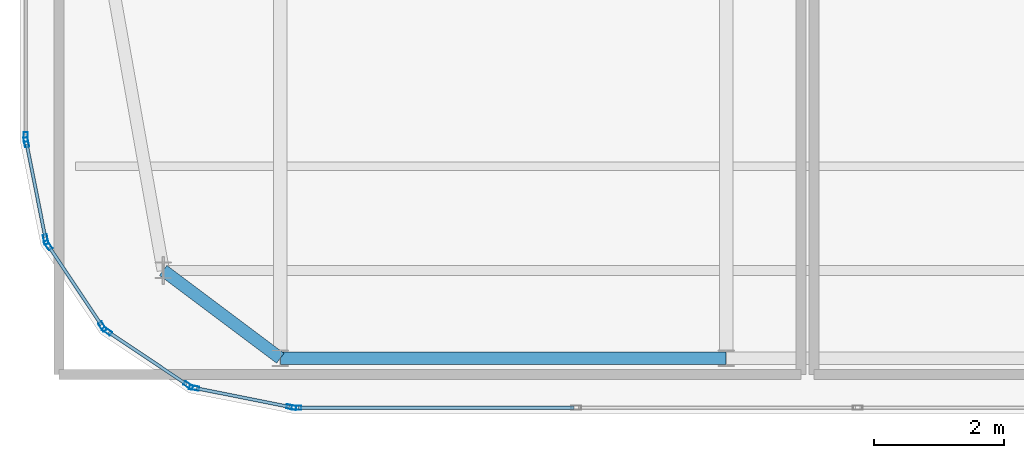
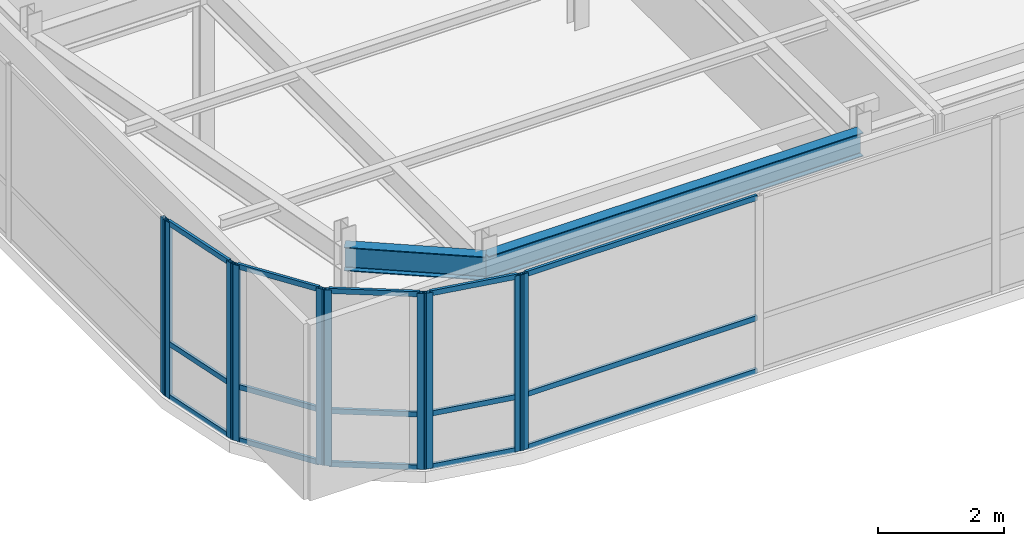
# One storey, part 5 of 35: 25 members, 2 beams, 6 elements without a shape of their own.
"""IFC4 building model written with IfcOpenShell, lengths in metres."""

from ifc_helpers import new_model, si_unit, direction, frame, origin, origin_2d, place, context, subcontext, project, spatial, hollow_rectangle, i_section, extrude, source, transform, mapped, material, layer, layer_set, material_profile, profile_set, type_object, type_shapes, element, aggregate, save


model = new_model("IFC4")

# Units and contexts
model_context = context("Model", 3, precision=1e-05, world=origin(), true_north=direction((0.0, 1.0)))
body_context = subcontext(model_context, "Body", "Model", "MODEL_VIEW")
ifc_project = project(units=[si_unit("LENGTHUNIT", "METRE"), si_unit("AREAUNIT", "SQUARE_METRE"), si_unit("VOLUMEUNIT", "CUBIC_METRE"), si_unit("PLANEANGLEUNIT", "RADIAN"), si_unit("MASSUNIT", "GRAM", prefix="KILO")], contexts=[model_context])

# Site, building, storey
site_placement = place(None, origin())
site = spatial("IfcSite", under=ifc_project, at=site_placement, CompositionType="ELEMENT")
building_placement = place(site_placement, origin())
building = spatial("IfcBuilding", under=site, at=building_placement, Name="Tolvann Quenvar Hotel", CompositionType="ELEMENT")
storey_placement = place(building_placement, frame((0.0, 0.0, 309.949951171875)))
storey = spatial("IfcBuildingStorey", under=building, at=storey_placement, Name="L82", CompositionType="ELEMENT", Elevation=309.949951171875)

# Beams
ifc_material_1 = material(Name="Steel Grade 350", Category="steel")
ifc_material_profile_1 = material_profile(ifc_material_1, i_section(OverallWidth=0.19091796875, OverallDepth=0.4599609375, WebThickness=0.010009765625, FlangeThickness=0.01611328125, FilletRadius=0.011474609375, at=origin_2d()), Name="460UB82")
ifc_profile_set_1 = profile_set([ifc_material_profile_1], Name="Steel Grade 350")
beam_type = type_object("IfcBeamType", Name="BM_SPAND_460UB82", PredefinedType="SPANDREL", material=ifc_profile_set_1)
shared_shape_1 = source(origin(), body_context, "Body", "SweptSolid", [
    extrude(i_section(OverallWidth=0.19091796875, OverallDepth=0.4599609375, WebThickness=0.010009765625, FlangeThickness=0.01611328125, FilletRadius=0.011474609375, at=origin_2d()), origin(), (0.0, 0.0, 1.0), 6.849853515625),
])
beam_1_placement = place(storey_placement, frame((7.60009765625, 7.050048828125, 3.170166015625), z_axis=(1.0, 0.0, 0.0), x_axis=(0.0, 1.0, 0.0)))
element("IfcBeam", 1, at=beam_1_placement, inside=storey, type_object=beam_type, Name="BM-L82-EW-2-C2-D2", PredefinedType="SPANDREL", context=body_context, shape_type="MappedRepresentation", body=[
    mapped(shared_shape_1, transform((0.0, 0.0, 0.0), x_axis=(1.0, 0.0, 0.0), y_axis=(0.0, 1.0, 0.0), z_axis=(0.0, 0.0, 1.0), scale=1.0)),
])
shared_shape_2 = source(origin(), body_context, "Body", "SweptSolid", [
    extrude(i_section(OverallWidth=0.19091796875, OverallDepth=0.4599609375, WebThickness=0.010009765625, FlangeThickness=0.01611328125, FilletRadius=0.011474609375, at=origin_2d()), origin(), (0.0, 0.0, 1.0), 2.25),
])
type_shapes(beam_type, [shared_shape_1, shared_shape_2])
beam_2_placement = place(storey_placement, frame((5.800048828125, 8.39990234375, 3.170166015625), z_axis=(0.800039061652, -0.599947914265, 0.0), x_axis=(0.599947914265, 0.800039061652, 0.0)))
element("IfcBeam", 2, at=beam_2_placement, inside=storey, type_object=beam_type, Name="BM-L82-EW-2-B2-C2", PredefinedType="SPANDREL", context=body_context, shape_type="MappedRepresentation", body=[
    mapped(shared_shape_2, transform((0.0, 0.0, 0.0), x_axis=(1.0, 0.0, 0.0), y_axis=(0.0, 1.0, 0.0), z_axis=(0.0, 0.0, 1.0), scale=1.0)),
])

# Curtain wall, members
ifc_material_2 = material(Name="Thermally broken anodised architectural aluminium 6063-T6 and laminated low-E glass", Category="aluminium")
ifc_layer = layer(ifc_material_2, 0.179931640625)
ifc_layer_set = layer_set([ifc_layer], Name="Thermally broken anodised architectural aluminium 6063-T6 and laminated low-E glass")
curtain_wall_type = type_object("IfcCurtainWallType", Name="CW_SYS_LANT_06", PredefinedType="USERDEFINED", material=ifc_layer_set)
curtain_wall_1_placement = place(storey_placement, origin())
curtain_wall_1 = element("IfcCurtainWall", 3, at=curtain_wall_1_placement, inside=storey, type_object=curtain_wall_type, Name="Curtain Wall CW-LANT-06 (CWR-L82-E01)", ObjectType="UNITISED CURTAIN WALL", PredefinedType="USERDEFINED")
ifc_material_3 = material(Name="Anodised architectural aluminium 6063-T6 framing", Category="aluminium")
ifc_material_profile_2 = material_profile(ifc_material_3, hollow_rectangle(XDim=0.050048828125, YDim=0.10009765625, WallThickness=0.0029296875, at=origin_2d()), Name="100x50x3RHS")
ifc_profile_set_2 = profile_set([ifc_material_profile_2], Name="Anodised architectural aluminium 6063-T6 framing")
member_type_1 = type_object("IfcMemberType", Name="CW_TRAN_100x50", PredefinedType="USERDEFINED", material=ifc_profile_set_2)
shared_shape_3 = source(origin(), body_context, "Body", "SweptSolid", [
    extrude(hollow_rectangle(XDim=0.050048828125, YDim=0.10009765625, WallThickness=0.0029296875, at=origin_2d()), origin(), (0.0, 0.0, 1.0), 1.439208984375),
])
member_1_placement = place(storey_placement, frame((4.0498046875, 8.759765625, 0.025146484375), z_axis=(0.555717578985, -0.831371139989, 0.0), x_axis=(0.831371139989, 0.555717578985, 0.0)))
member_1 = element("IfcMember", 4, at=member_1_placement, type_object=member_type_1, Name="CW-LANT-06 transom 1.1", ObjectType="TRANSOM", PredefinedType="USERDEFINED", context=body_context, shape_type="MappedRepresentation", body=[
    mapped(shared_shape_3, transform((0.0, 0.0, 0.0), x_axis=(1.0, 0.0, 0.0), y_axis=(0.0, 1.0, 0.0), z_axis=(0.0, 0.0, 1.0), scale=1.0)),
])
member_2_placement = place(storey_placement, frame((4.0498046875, 8.759765625, 1.050048828125), z_axis=(0.555717578985, -0.831371139989, 0.0), x_axis=(0.831371139989, 0.555717578985, 0.0)))
member_2 = element("IfcMember", 5, at=member_2_placement, type_object=member_type_1, Name="CW-LANT-06 transom 1.2", ObjectType="TRANSOM", PredefinedType="USERDEFINED", context=body_context, shape_type="MappedRepresentation", body=[
    mapped(shared_shape_3, transform((0.0, 0.0, 0.0), x_axis=(1.0, 0.0, 0.0), y_axis=(0.0, 1.0, 0.0), z_axis=(0.0, 0.0, 1.0), scale=1.0)),
])
member_3_placement = place(storey_placement, frame((4.0498046875, 8.759765625, 3.375), z_axis=(0.555717578985, -0.831371139989, 0.0), x_axis=(0.831371139989, 0.555717578985, 0.0)))
member_3 = element("IfcMember", 6, at=member_3_placement, type_object=member_type_1, Name="CW-LANT-06 transom 1.3", ObjectType="TRANSOM", PredefinedType="USERDEFINED", context=body_context, shape_type="MappedRepresentation", body=[
    mapped(shared_shape_3, transform((0.0, 0.0, 0.0), x_axis=(1.0, 0.0, 0.0), y_axis=(0.0, 1.0, 0.0), z_axis=(0.0, 0.0, 1.0), scale=1.0)),
])

curtain_wall_2_placement = place(storey_placement, origin())
curtain_wall_2 = element("IfcCurtainWall", 7, at=curtain_wall_2_placement, inside=storey, type_object=curtain_wall_type, Name="Curtain Wall CW-LANT-06 (CWR-L82-E02)", ObjectType="UNITISED CURTAIN WALL", PredefinedType="USERDEFINED")
member_4_placement = place(storey_placement, frame((4.963134765625, 7.449462890625, 0.025146484375), z_axis=(0.831449510818, -0.555600315839, 0.0), x_axis=(0.555600315839, 0.831449510818, 0.0)))
member_4 = element("IfcMember", 8, at=member_4_placement, type_object=member_type_1, Name="CW-LANT-06 transom 1.1", ObjectType="TRANSOM", PredefinedType="USERDEFINED", context=body_context, shape_type="MappedRepresentation", body=[
    mapped(shared_shape_3, transform((0.0, 0.0, 0.0), x_axis=(1.0, 0.0, 0.0), y_axis=(0.0, 1.0, 0.0), z_axis=(0.0, 0.0, 1.0), scale=1.0)),
])
member_5_placement = place(storey_placement, frame((4.963134765625, 7.449462890625, 1.050048828125), z_axis=(0.831449510818, -0.555600315839, 0.0), x_axis=(0.555600315839, 0.831449510818, 0.0)))
member_5 = element("IfcMember", 9, at=member_5_placement, type_object=member_type_1, Name="CW-LANT-06 transom 1.2", ObjectType="TRANSOM", PredefinedType="USERDEFINED", context=body_context, shape_type="MappedRepresentation", body=[
    mapped(shared_shape_3, transform((0.0, 0.0, 0.0), x_axis=(1.0, 0.0, 0.0), y_axis=(0.0, 1.0, 0.0), z_axis=(0.0, 0.0, 1.0), scale=1.0)),
])
member_6_placement = place(storey_placement, frame((4.963134765625, 7.449462890625, 3.375), z_axis=(0.831449510818, -0.555600315839, 0.0), x_axis=(0.555600315839, 0.831449510818, 0.0)))
member_6 = element("IfcMember", 10, at=member_6_placement, type_object=member_type_1, Name="CW-LANT-06 transom 1.3", ObjectType="TRANSOM", PredefinedType="USERDEFINED", context=body_context, shape_type="MappedRepresentation", body=[
    mapped(shared_shape_3, transform((0.0, 0.0, 0.0), x_axis=(1.0, 0.0, 0.0), y_axis=(0.0, 1.0, 0.0), z_axis=(0.0, 0.0, 1.0), scale=1.0)),
])

curtain_wall_3_placement = place(storey_placement, origin())
curtain_wall_3 = element("IfcCurtainWall", 11, at=curtain_wall_3_placement, inside=storey, type_object=curtain_wall_type, Name="Curtain Wall CW-LANT-06 (CWR-L82-E03)", ObjectType="UNITISED CURTAIN WALL", PredefinedType="USERDEFINED")
shared_shape_4 = source(origin(), body_context, "Body", "SweptSolid", [
    extrude(hollow_rectangle(XDim=0.050048828125, YDim=0.10009765625, WallThickness=0.0029296875, at=origin_2d()), origin(), (0.0, 0.0, 1.0), 1.456787109375),
])
member_7_placement = place(storey_placement, frame((6.30810546875, 6.58837890625, 0.025146484375), z_axis=(0.980786408364, -0.195084651288, 0.0), x_axis=(0.195084651288, 0.980786408364, 0.0)))
member_7 = element("IfcMember", 12, at=member_7_placement, type_object=member_type_1, Name="CW-LANT-06 transom 1.1", ObjectType="TRANSOM", PredefinedType="USERDEFINED", context=body_context, shape_type="MappedRepresentation", body=[
    mapped(shared_shape_4, transform((0.0, 0.0, 0.0), x_axis=(1.0, 0.0, 0.0), y_axis=(0.0, 1.0, 0.0), z_axis=(0.0, 0.0, 1.0), scale=1.0)),
])
member_8_placement = place(storey_placement, frame((6.30810546875, 6.58837890625, 1.050048828125), z_axis=(0.980786408364, -0.195084651288, 0.0), x_axis=(0.195084651288, 0.980786408364, 0.0)))
member_8 = element("IfcMember", 13, at=member_8_placement, type_object=member_type_1, Name="CW-LANT-06 transom 1.2", ObjectType="TRANSOM", PredefinedType="USERDEFINED", context=body_context, shape_type="MappedRepresentation", body=[
    mapped(shared_shape_4, transform((0.0, 0.0, 0.0), x_axis=(1.0, 0.0, 0.0), y_axis=(0.0, 1.0, 0.0), z_axis=(0.0, 0.0, 1.0), scale=1.0)),
])
member_9_placement = place(storey_placement, frame((6.30810546875, 6.58837890625, 3.375), z_axis=(0.980786408364, -0.195084651288, 0.0), x_axis=(0.195084651288, 0.980786408364, 0.0)))
member_9 = element("IfcMember", 14, at=member_9_placement, type_object=member_type_1, Name="CW-LANT-06 transom 1.3", ObjectType="TRANSOM", PredefinedType="USERDEFINED", context=body_context, shape_type="MappedRepresentation", body=[
    mapped(shared_shape_4, transform((0.0, 0.0, 0.0), x_axis=(1.0, 0.0, 0.0), y_axis=(0.0, 1.0, 0.0), z_axis=(0.0, 0.0, 1.0), scale=1.0)),
])

curtain_wall_4_placement = place(storey_placement, origin())
curtain_wall_4 = element("IfcCurtainWall", 15, at=curtain_wall_4_placement, inside=storey, type_object=curtain_wall_type, Name="Curtain Wall CW-LANT-06 (CWR-L82-E20)", ObjectType="UNITISED CURTAIN WALL", PredefinedType="USERDEFINED")
member_10_placement = place(storey_placement, frame((3.704345703125, 10.3369140625, 0.025146484375), z_axis=(0.195084651288, -0.980786408364, 0.0), x_axis=(0.980786408364, 0.195084651288, 0.0)))
member_10 = element("IfcMember", 16, at=member_10_placement, type_object=member_type_1, Name="CW-LANT-06 transom 1.1", ObjectType="TRANSOM", PredefinedType="USERDEFINED", context=body_context, shape_type="MappedRepresentation", body=[
    mapped(shared_shape_4, transform((0.0, 0.0, 0.0), x_axis=(1.0, 0.0, 0.0), y_axis=(0.0, 1.0, 0.0), z_axis=(0.0, 0.0, 1.0), scale=1.0)),
])
member_11_placement = place(storey_placement, frame((3.704345703125, 10.3369140625, 1.050048828125), z_axis=(0.195084651288, -0.980786408364, 0.0), x_axis=(0.980786408364, 0.195084651288, 0.0)))
member_11 = element("IfcMember", 17, at=member_11_placement, type_object=member_type_1, Name="CW-LANT-06 transom 1.2", ObjectType="TRANSOM", PredefinedType="USERDEFINED", context=body_context, shape_type="MappedRepresentation", body=[
    mapped(shared_shape_4, transform((0.0, 0.0, 0.0), x_axis=(1.0, 0.0, 0.0), y_axis=(0.0, 1.0, 0.0), z_axis=(0.0, 0.0, 1.0), scale=1.0)),
])
member_12_placement = place(storey_placement, frame((3.704345703125, 10.3369140625, 3.375), z_axis=(0.195084651288, -0.980786408364, 0.0), x_axis=(0.980786408364, 0.195084651288, 0.0)))
member_12 = element("IfcMember", 18, at=member_12_placement, type_object=member_type_1, Name="CW-LANT-06 transom 1.3", ObjectType="TRANSOM", PredefinedType="USERDEFINED", context=body_context, shape_type="MappedRepresentation", body=[
    mapped(shared_shape_4, transform((0.0, 0.0, 0.0), x_axis=(1.0, 0.0, 0.0), y_axis=(0.0, 1.0, 0.0), z_axis=(0.0, 0.0, 1.0), scale=1.0)),
])

curtain_wall_5_placement = place(storey_placement, origin())
curtain_wall_5 = element("IfcCurtainWall", 19, at=curtain_wall_5_placement, inside=storey, type_object=curtain_wall_type, Name="Curtain Wall CW-LANT-06 (CWR-L82-E04)", ObjectType="UNITISED CURTAIN WALL", PredefinedType="USERDEFINED")
shared_shape_5 = source(origin(), body_context, "Body", "SweptSolid", [
    extrude(hollow_rectangle(XDim=0.050048828125, YDim=0.10009765625, WallThickness=0.0029296875, at=origin_2d()), origin(), (0.0, 0.0, 1.0), 4.230224609375),
])
type_shapes(member_type_1, [shared_shape_3, shared_shape_4, shared_shape_5])
member_13_placement = place(storey_placement, frame((7.882080078125, 6.2900390625, 0.025146484375), z_axis=(1.0, 0.0, 0.0), x_axis=(0.0, 1.0, 0.0)))
member_13 = element("IfcMember", 20, at=member_13_placement, type_object=member_type_1, Name="CW-LANT-06 transom 1.1", ObjectType="TRANSOM", PredefinedType="USERDEFINED", context=body_context, shape_type="MappedRepresentation", body=[
    mapped(shared_shape_5, transform((0.0, 0.0, 0.0), x_axis=(1.0, 0.0, 0.0), y_axis=(0.0, 1.0, 0.0), z_axis=(0.0, 0.0, 1.0), scale=1.0)),
])
member_14_placement = place(storey_placement, frame((7.882080078125, 6.2900390625, 1.050048828125), z_axis=(1.0, 0.0, 0.0), x_axis=(0.0, 1.0, 0.0)))
member_14 = element("IfcMember", 21, at=member_14_placement, type_object=member_type_1, Name="CW-LANT-06 transom 1.2", ObjectType="TRANSOM", PredefinedType="USERDEFINED", context=body_context, shape_type="MappedRepresentation", body=[
    mapped(shared_shape_5, transform((0.0, 0.0, 0.0), x_axis=(1.0, 0.0, 0.0), y_axis=(0.0, 1.0, 0.0), z_axis=(0.0, 0.0, 1.0), scale=1.0)),
])
member_15_placement = place(storey_placement, frame((7.882080078125, 6.2900390625, 3.375), z_axis=(1.0, 0.0, 0.0), x_axis=(0.0, 1.0, 0.0)))
member_15 = element("IfcMember", 22, at=member_15_placement, type_object=member_type_1, Name="CW-LANT-06 transom 1.3", ObjectType="TRANSOM", PredefinedType="USERDEFINED", context=body_context, shape_type="MappedRepresentation", body=[
    mapped(shared_shape_5, transform((0.0, 0.0, 0.0), x_axis=(1.0, 0.0, 0.0), y_axis=(0.0, 1.0, 0.0), z_axis=(0.0, 0.0, 1.0), scale=1.0)),
])

# Member
ifc_material_profile_3 = material_profile(ifc_material_3, hollow_rectangle(XDim=0.06494140625, YDim=0.14990234375, WallThickness=0.00390625, at=origin_2d()), Name="150x65x4RHS")
ifc_profile_set_3 = profile_set([ifc_material_profile_3], Name="Anodised architectural aluminium 6063-T6 framing")
member_type_2 = type_object("IfcMemberType", Name="CW_MULL_150x65", PredefinedType="MULLION", material=ifc_profile_set_3)
shared_shape_6 = source(origin(), body_context, "Body", "SweptSolid", [
    extrude(hollow_rectangle(XDim=0.06494140625, YDim=0.14990234375, WallThickness=0.00390625, at=origin_2d()), origin(), (0.0, 0.0, 1.0), 3.400146484375),
])
type_shapes(member_type_2, [shared_shape_6])
member_16_placement = place(storey_placement, frame((4.03173828125, 8.786865234375, 0.0), z_axis=(0.0, 0.0, 1.0), x_axis=(0.831412452193, 0.555655769644, 0.0)))
member_16 = element("IfcMember", 23, at=member_16_placement, type_object=member_type_2, Name="CW-LANT-06 mullion 1", PredefinedType="MULLION", context=body_context, shape_type="MappedRepresentation", body=[
    mapped(shared_shape_6, transform((0.0, 0.0, 0.0), x_axis=(1.0, 0.0, 0.0), y_axis=(0.0, 1.0, 0.0), z_axis=(0.0, 0.0, 1.0), scale=1.0)),
])

member_17_placement = place(storey_placement, frame((4.86767578125, 7.5361328125, 0.0), z_axis=(0.0, 0.0, 1.0), x_axis=(0.831412452193, 0.555655769644, 0.0)))
member_17 = element("IfcMember", 24, at=member_17_placement, type_object=member_type_2, Name="CW-LANT-06 mullion 2", PredefinedType="MULLION", context=body_context, shape_type="MappedRepresentation", body=[
    mapped(shared_shape_6, transform((0.0, 0.0, 0.0), x_axis=(1.0, 0.0, 0.0), y_axis=(0.0, 1.0, 0.0), z_axis=(0.0, 0.0, 1.0), scale=1.0)),
])

aggregate(curtain_wall_1, [member_16, member_17, member_1, member_2, member_3])

member_18_placement = place(storey_placement, frame((4.936279296875, 7.467529296875, 0.0), z_axis=(0.0, 0.0, 1.0), x_axis=(0.555655769644, 0.831412452193, 0.0)))
member_18 = element("IfcMember", 25, at=member_18_placement, type_object=member_type_2, Name="CW-LANT-06 mullion 1", PredefinedType="MULLION", context=body_context, shape_type="MappedRepresentation", body=[
    mapped(shared_shape_6, transform((0.0, 0.0, 0.0), x_axis=(1.0, 0.0, 0.0), y_axis=(0.0, 1.0, 0.0), z_axis=(0.0, 0.0, 1.0), scale=1.0)),
])

member_19_placement = place(storey_placement, frame((6.186767578125, 6.6318359375, 0.0), z_axis=(0.0, 0.0, 1.0), x_axis=(0.555655769644, 0.831412452193, 0.0)))
member_19 = element("IfcMember", 26, at=member_19_placement, type_object=member_type_2, Name="CW-LANT-06 mullion 2", PredefinedType="MULLION", context=body_context, shape_type="MappedRepresentation", body=[
    mapped(shared_shape_6, transform((0.0, 0.0, 0.0), x_axis=(1.0, 0.0, 0.0), y_axis=(0.0, 1.0, 0.0), z_axis=(0.0, 0.0, 1.0), scale=1.0)),
])

aggregate(curtain_wall_2, [member_18, member_19, member_4, member_5, member_6])

member_20_placement = place(storey_placement, frame((6.2763671875, 6.5947265625, 0.0), z_axis=(0.0, 0.0, 1.0), x_axis=(0.195061569369, 0.980790999222, 0.0)))
member_20 = element("IfcMember", 27, at=member_20_placement, type_object=member_type_2, Name="CW-LANT-06 mullion 1", PredefinedType="MULLION", context=body_context, shape_type="MappedRepresentation", body=[
    mapped(shared_shape_6, transform((0.0, 0.0, 0.0), x_axis=(1.0, 0.0, 0.0), y_axis=(0.0, 1.0, 0.0), z_axis=(0.0, 0.0, 1.0), scale=1.0)),
])

member_21_placement = place(storey_placement, frame((7.768798828125, 6.2978515625, 0.0), z_axis=(0.0, 0.0, 1.0), x_axis=(0.195061569369, 0.980790999222, 0.0)))
member_21 = element("IfcMember", 28, at=member_21_placement, type_object=member_type_2, Name="CW-LANT-06 mullion 2", PredefinedType="MULLION", context=body_context, shape_type="MappedRepresentation", body=[
    mapped(shared_shape_6, transform((0.0, 0.0, 0.0), x_axis=(1.0, 0.0, 0.0), y_axis=(0.0, 1.0, 0.0), z_axis=(0.0, 0.0, 1.0), scale=1.0)),
])

aggregate(curtain_wall_3, [member_20, member_21, member_7, member_8, member_9])

member_22_placement = place(storey_placement, frame((7.849609375, 6.2900390625, 0.0), z_axis=(0.0, 0.0, 1.0), x_axis=(0.0, 1.0, 0.0)))
member_22 = element("IfcMember", 29, at=member_22_placement, type_object=member_type_2, Name="CW-LANT-06 mullion 1", PredefinedType="MULLION", context=body_context, shape_type="MappedRepresentation", body=[
    mapped(shared_shape_6, transform((0.0, 0.0, 0.0), x_axis=(1.0, 0.0, 0.0), y_axis=(0.0, 1.0, 0.0), z_axis=(0.0, 0.0, 1.0), scale=1.0)),
])

aggregate(curtain_wall_5, [member_22, member_13, member_14, member_15])

# Curtain wall, member
curtain_wall_6_placement = place(storey_placement, origin())
curtain_wall_6 = element("IfcCurtainWall", 30, at=curtain_wall_6_placement, inside=storey, type_object=curtain_wall_type, Name="Curtain Wall CW-LANT-06 (CWR-L82-E19)", ObjectType="UNITISED CURTAIN WALL", PredefinedType="USERDEFINED")
member_23_placement = place(storey_placement, frame((3.68994140625, 10.44970703125, 0.0), z_axis=(0.0, 0.0, 1.0), x_axis=(1.0, 0.0, 0.0)))
member_23 = element("IfcMember", 31, at=member_23_placement, type_object=member_type_2, Name="CW-LANT-06 mullion 7", PredefinedType="MULLION", context=body_context, shape_type="MappedRepresentation", body=[
    mapped(shared_shape_6, transform((0.0, 0.0, 0.0), x_axis=(1.0, 0.0, 0.0), y_axis=(0.0, 1.0, 0.0), z_axis=(0.0, 0.0, 1.0), scale=1.0)),
])
aggregate(curtain_wall_6, [member_23])

# Member
member_24_placement = place(storey_placement, frame((3.697998046875, 10.36865234375, 0.0), z_axis=(0.0, 0.0, 1.0), x_axis=(0.980790999222, 0.195061569369, 0.0)))
member_24 = element("IfcMember", 32, at=member_24_placement, type_object=member_type_2, Name="CW-LANT-06 mullion 1", PredefinedType="MULLION", context=body_context, shape_type="MappedRepresentation", body=[
    mapped(shared_shape_6, transform((0.0, 0.0, 0.0), x_axis=(1.0, 0.0, 0.0), y_axis=(0.0, 1.0, 0.0), z_axis=(0.0, 0.0, 1.0), scale=1.0)),
])

member_25_placement = place(storey_placement, frame((3.994873046875, 8.876220703125, 0.0), z_axis=(0.0, 0.0, 1.0), x_axis=(0.980790999222, 0.195061569369, 0.0)))
member_25 = element("IfcMember", 33, at=member_25_placement, type_object=member_type_2, Name="CW-LANT-06 mullion 2", PredefinedType="MULLION", context=body_context, shape_type="MappedRepresentation", body=[
    mapped(shared_shape_6, transform((0.0, 0.0, 0.0), x_axis=(1.0, 0.0, 0.0), y_axis=(0.0, 1.0, 0.0), z_axis=(0.0, 0.0, 1.0), scale=1.0)),
])

aggregate(curtain_wall_4, [member_24, member_25, member_10, member_11, member_12])

save(model, "model.ifc")
